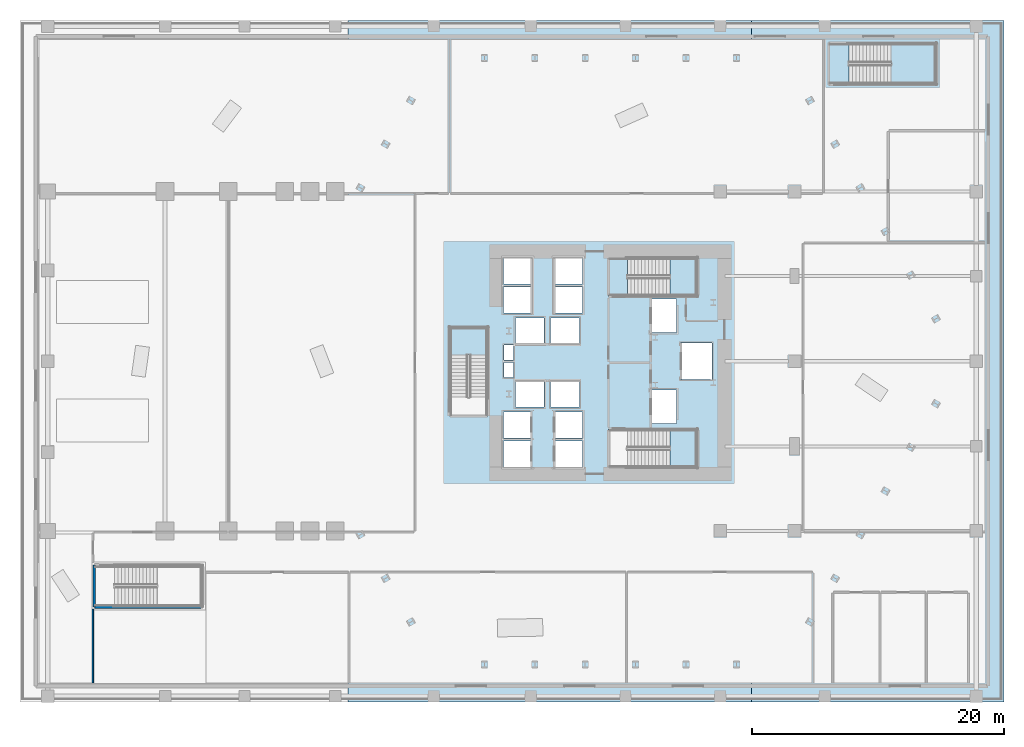
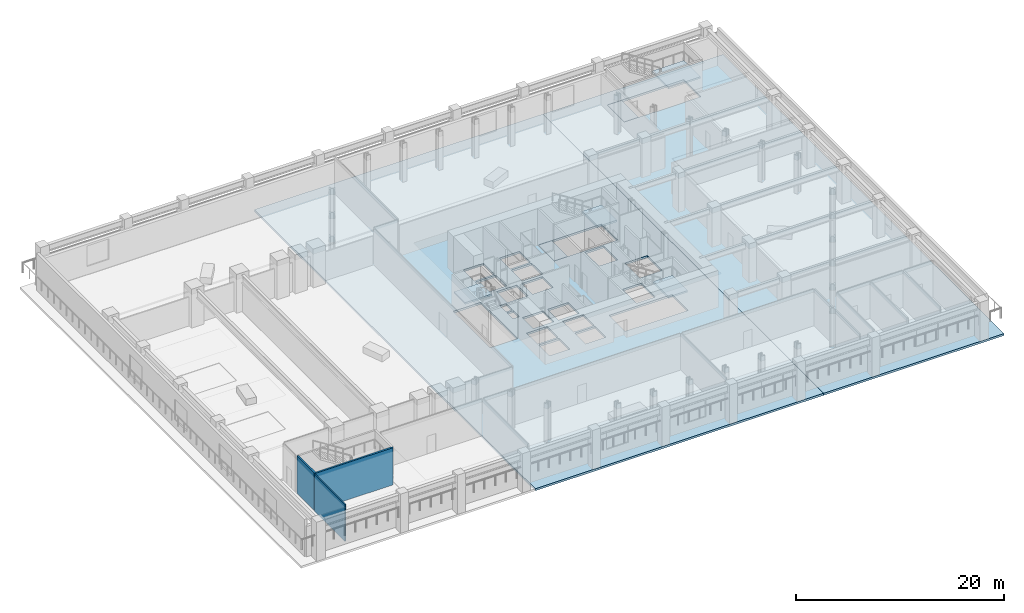
# One storey, part 2 of 18: 8 slabs, 3 walls, 4 elements without a shape of their own.
"""IFC4 building model written with IfcOpenShell, lengths in metres."""

from ifc_helpers import new_model, si_unit, direction, frame, frame_2d, origin, place, context, subcontext, project, spatial, polyline, rectangle, outline, extrude, material, layer, layer_set, type_object, element, aggregate, save


model = new_model("IFC4")

# Units and contexts
model_context = context("Model", 3, precision=1e-05, world=origin(), true_north=direction((0.0, 1.0)))
body_context = subcontext(model_context, "Body", "Model", "MODEL_VIEW")
ifc_project = project(units=[si_unit("LENGTHUNIT", "METRE"), si_unit("AREAUNIT", "SQUARE_METRE"), si_unit("VOLUMEUNIT", "CUBIC_METRE"), si_unit("PLANEANGLEUNIT", "RADIAN"), si_unit("MASSUNIT", "GRAM", prefix="KILO")], contexts=[model_context])

# Site, building, storey
site_placement = place(None, origin())
site = spatial("IfcSite", under=ifc_project, at=site_placement, CompositionType="ELEMENT")
building_placement = place(site_placement, origin())
building = spatial("IfcBuilding", under=site, at=building_placement, Name="Valkerne Bourse Tower", CompositionType="ELEMENT")
storey_placement = place(building_placement, frame((0.0, 0.0, 10.199951171875)))
storey = spatial("IfcBuildingStorey", under=building, at=storey_placement, Name="L02", CompositionType="ELEMENT", Elevation=10.199951171875)

# Slabs
ifc_material_1 = material(Name="Concrete C40/50", Category="concrete")
ifc_layer_1 = layer(ifc_material_1, 0.239990234375)
ifc_layer_set_1 = layer_set([ifc_layer_1], Name="Concrete C40/50")
slab_type_1 = type_object("IfcSlabType", Name="SLB-POD-240", PredefinedType="FLOOR", material=ifc_layer_set_1)
slab_1_placement = place(storey_placement, frame((0.0, 0.0, -0.239990234375)))
element("IfcSlab", 1, at=slab_1_placement, inside=storey, type_object=slab_type_1, Name="L02 Podium Composite Floor Slab C", PredefinedType="FLOOR", context=body_context, shape_type="SweptSolid", body=[
    extrude(outline(polyline([(26.0, 0.0), (26.0, 54.0), (58.0, 54.0), (58.0, 0.0), (26.0, 0.0)]), holes=[polyline([(40.590087890625, 18.610107421875), (40.590087890625, 20.68994140625), (38.31005859375, 20.68994140625), (38.31005859375, 18.610107421875), (40.590087890625, 18.610107421875)]), polyline([(40.590087890625, 20.909912109375), (40.590087890625, 22.989990234375), (38.31005859375, 22.989990234375), (38.31005859375, 20.909912109375), (40.590087890625, 20.909912109375)]), polyline([(39.260009765625, 23.360107421875), (41.5400390625, 23.360107421875), (41.5400390625, 25.43994140625), (39.260009765625, 25.43994140625), (39.260009765625, 23.360107421875)]), polyline([(37.114990234375, 22.6650390625), (37.114990234375, 29.675048828125), (34.034912109375, 29.675048828125), (34.034912109375, 22.6650390625), (37.114990234375, 22.6650390625)]), polyline([(39.10009765625, 25.72998046875), (39.10009765625, 26.89990234375), (38.3798828125, 26.89990234375), (38.3798828125, 25.72998046875), (39.10009765625, 25.72998046875)]), polyline([(38.3798828125, 27.10009765625), (39.10009765625, 27.10009765625), (39.10009765625, 28.27001953125), (38.3798828125, 28.27001953125), (38.3798828125, 27.10009765625)]), polyline([(39.260009765625, 28.360107421875), (41.5400390625, 28.360107421875), (41.5400390625, 30.43994140625), (39.260009765625, 30.43994140625), (39.260009765625, 28.360107421875)]), polyline([(44.340087890625, 28.360107421875), (44.340087890625, 30.43994140625), (42.06005859375, 30.43994140625), (42.06005859375, 28.360107421875), (44.340087890625, 28.360107421875)]), polyline([(38.31005859375, 30.81005859375), (40.590087890625, 30.81005859375), (40.590087890625, 32.889892578125), (38.31005859375, 32.889892578125), (38.31005859375, 30.81005859375)]), polyline([(38.31005859375, 33.110107421875), (40.590087890625, 33.110107421875), (40.590087890625, 35.18994140625), (38.31005859375, 35.18994140625), (38.31005859375, 33.110107421875)]), polyline([(44.590087890625, 18.610107421875), (44.590087890625, 20.68994140625), (42.31005859375, 20.68994140625), (42.31005859375, 18.610107421875), (44.590087890625, 18.610107421875)]), polyline([(53.675048828125, 18.534912109375), (53.675048828125, 21.614990234375), (46.6650390625, 21.614990234375), (46.6650390625, 18.534912109375), (53.675048828125, 18.534912109375)]), polyline([(44.590087890625, 20.909912109375), (44.590087890625, 22.989990234375), (42.31005859375, 22.989990234375), (42.31005859375, 20.909912109375), (44.590087890625, 20.909912109375)]), polyline([(49.9599609375, 22.06005859375), (52.0400390625, 22.06005859375), (52.0400390625, 24.739990234375), (49.9599609375, 24.739990234375), (49.9599609375, 22.06005859375)]), polyline([(42.06005859375, 23.360107421875), (44.340087890625, 23.360107421875), (44.340087890625, 25.43994140625), (42.06005859375, 25.43994140625), (42.06005859375, 23.360107421875)]), polyline([(54.840087890625, 25.56005859375), (54.840087890625, 28.43994140625), (52.360107421875, 28.43994140625), (52.360107421875, 25.56005859375), (54.840087890625, 25.56005859375)]), polyline([(49.9599609375, 29.260009765625), (52.0400390625, 29.260009765625), (52.0400390625, 31.93994140625), (49.9599609375, 31.93994140625), (49.9599609375, 29.260009765625)]), polyline([(42.31005859375, 30.81005859375), (44.590087890625, 30.81005859375), (44.590087890625, 32.889892578125), (42.31005859375, 32.889892578125), (42.31005859375, 30.81005859375)]), polyline([(53.675048828125, 32.135009765625), (53.675048828125, 35.215087890625), (46.6650390625, 35.215087890625), (46.6650390625, 32.135009765625), (53.675048828125, 32.135009765625)]), polyline([(42.31005859375, 33.110107421875), (44.590087890625, 33.110107421875), (44.590087890625, 35.18994140625), (42.31005859375, 35.18994140625), (42.31005859375, 33.110107421875)])]), origin(), (0.0, 0.0, 1.0), 0.239990234375),
])
slab_2_placement = place(storey_placement, frame((0.0, 0.0, -0.239990234375)))
element("IfcSlab", 2, at=slab_2_placement, inside=storey, type_object=slab_type_1, Name="L02 Podium Composite Floor Slab E", PredefinedType="FLOOR", context=body_context, shape_type="SweptSolid", body=[
    extrude(outline(polyline([(58.0, 0.0), (58.0, 54.0), (78.0, 54.0), (78.0, 0.0), (58.0, 0.0)]), holes=[polyline([(64.114990234375, 48.93505859375), (72.625, 48.93505859375), (72.625, 52.215087890625), (64.114990234375, 52.215087890625), (64.114990234375, 48.93505859375)])]), origin(), (0.0, 0.0, 1.0), 0.239990234375),
])
ifc_layer_2 = layer(ifc_material_1, 0.25)
ifc_layer_set_2 = layer_set([ifc_layer_2], Name="Concrete C40/50")
slab_type_2 = type_object("IfcSlabType", Name="SLB-RMP-LND-250", PredefinedType="LANDING", material=ifc_layer_set_2)
slab_3_placement = place(storey_placement, frame((0.0, 0.0, -0.239990234375)))
element("IfcSlab", 3, at=slab_3_placement, inside=storey, type_object=slab_type_2, Name="L02 ST-2 Floor Landing Slab", PredefinedType="LANDING", context=body_context, shape_type="SweptSolid", body=[
    extrude(outline(polyline([(46.669921875, 32.139892578125), (48.14990234375, 32.139892578125), (48.14990234375, 35.2099609375), (46.669921875, 35.2099609375), (46.669921875, 32.139892578125)])), origin(), (0.0, 0.0, 1.0), 0.239990234375),
])
slab_4_placement = place(storey_placement, frame((0.0, 0.0, -0.239990234375)))
element("IfcSlab", 4, at=slab_4_placement, inside=storey, type_object=slab_type_2, Name="L02 ST-P2 Floor Landing Slab", PredefinedType="LANDING", context=body_context, shape_type="SweptSolid", body=[
    extrude(outline(polyline([(64.1201171875, 48.93994140625), (65.699951171875, 48.93994140625), (65.699951171875, 52.2099609375), (64.1201171875, 52.2099609375), (64.1201171875, 48.93994140625)])), origin(), (0.0, 0.0, 1.0), 0.239990234375),
])

# Stair, slab
stair_type_1 = type_object("IfcStairType", Name="ST-CORE-1400", PredefinedType="HALF_TURN_STAIR", material=ifc_material_1)
stair_1_placement = place(storey_placement, origin())
stair_1 = element("IfcStair", 5, at=stair_1_placement, inside=storey, type_object=stair_type_1, Name="L02 ST-1", PredefinedType="HALF_TURN_STAIR")
ifc_layer_3 = layer(ifc_material_1, 0.179931640625)
ifc_layer_set_3 = layer_set([ifc_layer_3], Name="Concrete C40/50")
slab_type_3 = type_object("IfcSlabType", Name="SLB-ST-LND-180", PredefinedType="LANDING", material=ifc_layer_set_3)
slab_5_placement = place(storey_placement, frame((0.0, 0.0, 2.10009765625)))
slab_5 = element("IfcSlab", 6, at=slab_5_placement, type_object=slab_type_3, Name="ST-1 landing 1", PredefinedType="LANDING", context=body_context, shape_type="SweptSolid", body=[
    extrude(outline(polyline([(51.510009765625, 18.60009765625), (53.64990234375, 18.60009765625), (53.64990234375, 21.550048828125), (51.510009765625, 21.550048828125), (51.510009765625, 18.60009765625)])), origin(), (0.0, 0.0, 1.0), 0.199951171875),
])
aggregate(stair_1, [slab_5])

stair_2_placement = place(storey_placement, origin())
stair_2 = element("IfcStair", 7, at=stair_2_placement, inside=storey, type_object=stair_type_1, Name="L02 ST-2", PredefinedType="HALF_TURN_STAIR")
slab_6_placement = place(storey_placement, frame((0.0, 0.0, 2.10009765625)))
slab_6 = element("IfcSlab", 8, at=slab_6_placement, type_object=slab_type_3, Name="ST-2 landing 1", PredefinedType="LANDING", context=body_context, shape_type="SweptSolid", body=[
    extrude(outline(polyline([(51.510009765625, 32.199951171875), (53.64990234375, 32.199951171875), (53.64990234375, 35.14990234375), (51.510009765625, 35.14990234375), (51.510009765625, 32.199951171875)])), origin(), (0.0, 0.0, 1.0), 0.199951171875),
])
aggregate(stair_2, [slab_6])

stair_3_placement = place(storey_placement, origin())
stair_3 = element("IfcStair", 9, at=stair_3_placement, inside=storey, type_object=stair_type_1, Name="L02 ST-3", PredefinedType="HALF_TURN_STAIR")
slab_7_placement = place(storey_placement, frame((0.0, 0.0, 2.10009765625)))
slab_7 = element("IfcSlab", 10, at=slab_7_placement, type_object=slab_type_3, Name="ST-3 landing 1", PredefinedType="LANDING", context=body_context, shape_type="SweptSolid", body=[
    extrude(outline(polyline([(37.050048828125, 27.510009765625), (37.050048828125, 29.64990234375), (34.10009765625, 29.64990234375), (34.10009765625, 27.510009765625), (37.050048828125, 27.510009765625)])), origin(), (0.0, 0.0, 1.0), 0.199951171875),
])
aggregate(stair_3, [slab_7])

stair_type_2 = type_object("IfcStairType", Name="ST-POD-1500", PredefinedType="HALF_TURN_STAIR", material=ifc_material_1)
stair_4_placement = place(storey_placement, origin())
stair_4 = element("IfcStair", 11, at=stair_4_placement, inside=storey, type_object=stair_type_2, Name="L02 ST-P2", PredefinedType="HALF_TURN_STAIR")
slab_8_placement = place(storey_placement, frame((0.0, 0.0, 2.10009765625)))
slab_8 = element("IfcSlab", 12, at=slab_8_placement, type_object=slab_type_3, Name="ST-P2 landing 1", PredefinedType="LANDING", context=body_context, shape_type="SweptSolid", body=[
    extrude(outline(polyline([(69.06005859375, 49.0), (72.60009765625, 49.0), (72.60009765625, 52.14990234375), (69.06005859375, 52.14990234375), (69.06005859375, 49.0)])), origin(), (0.0, 0.0, 1.0), 0.199951171875),
])
aggregate(stair_4, [slab_8])

# Walls
ifc_material_2 = material(Name="Gypsum Board Steel-Stud Partition", Category="steel")
ifc_layer_4 = layer(ifc_material_2, 0.117919921875)
ifc_layer_set_4 = layer_set([ifc_layer_4], Name="Gypsum Board Steel-Stud Partition")
wall_type_1 = type_object("IfcWallType", Name="W-CORR-140", PredefinedType="PARTITIONING", material=ifc_layer_set_4)
wall_1_placement = place(storey_placement, frame((5.780029296875, 1.5, 0.0), z_axis=(0.0, 0.0, 1.0), x_axis=(0.0, 1.0, 0.0)))
element("IfcWall", 13, at=wall_1_placement, inside=storey, type_object=wall_type_1, Name="L02 L02 South-West Operations Office Wall", PredefinedType="PARTITIONING", context=body_context, shape_type="SweptSolid", body=[
    extrude(rectangle(XDim=5.85009765625, YDim=0.117919921875, at=frame_2d((2.925048828125, 0.0))), origin(), (0.0, 0.0, 1.0), 4.360107421875),
])
ifc_layer_5 = layer(ifc_material_1, 0.199951171875)
ifc_layer_set_5 = layer_set([ifc_layer_5], Name="Concrete C40/50")
wall_type_2 = type_object("IfcWallType", Name="W-SHF-200", PredefinedType="SHEAR", material=ifc_layer_set_5)
wall_2_placement = place(storey_placement, frame((5.89990234375, 7.5, 0.0), z_axis=(0.0, 0.0, 1.0), x_axis=(1.0, 0.0, 0.0)))
element("IfcWall", 14, at=wall_2_placement, inside=storey, type_object=wall_type_2, Name="L02 Exit Stair ST-P1 Structural South Wall", PredefinedType="SHEAR", context=body_context, shape_type="SweptSolid", body=[
    extrude(rectangle(XDim=8.60009765625, YDim=0.199951171875, at=frame_2d((4.300048828125, 0.0))), origin(), (0.0, 0.0, 1.0), 4.360107421875),
])
wall_3_placement = place(storey_placement, frame((5.89990234375, 7.5, 0.0), z_axis=(0.0, 0.0, 1.0), x_axis=(0.0, 1.0, 0.0)))
element("IfcWall", 15, at=wall_3_placement, inside=storey, type_object=wall_type_2, Name="L02 Exit Stair ST-P1 Structural West Wall", PredefinedType="SHEAR", context=body_context, shape_type="SweptSolid", body=[
    extrude(rectangle(XDim=3.35009765625, YDim=0.199951171875, at=frame_2d((1.675048828125, 0.0))), origin(), (0.0, 0.0, 1.0), 4.360107421875),
])

save(model, "model.ifc")
